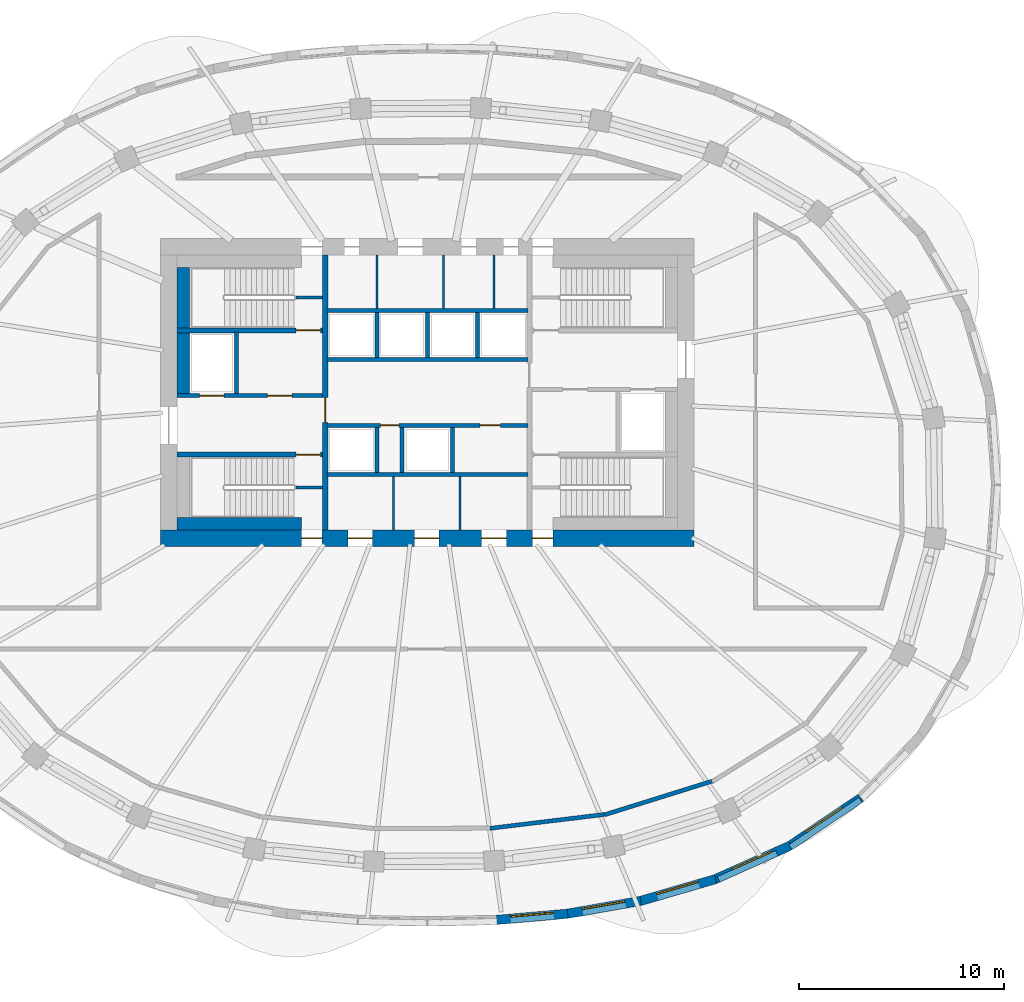
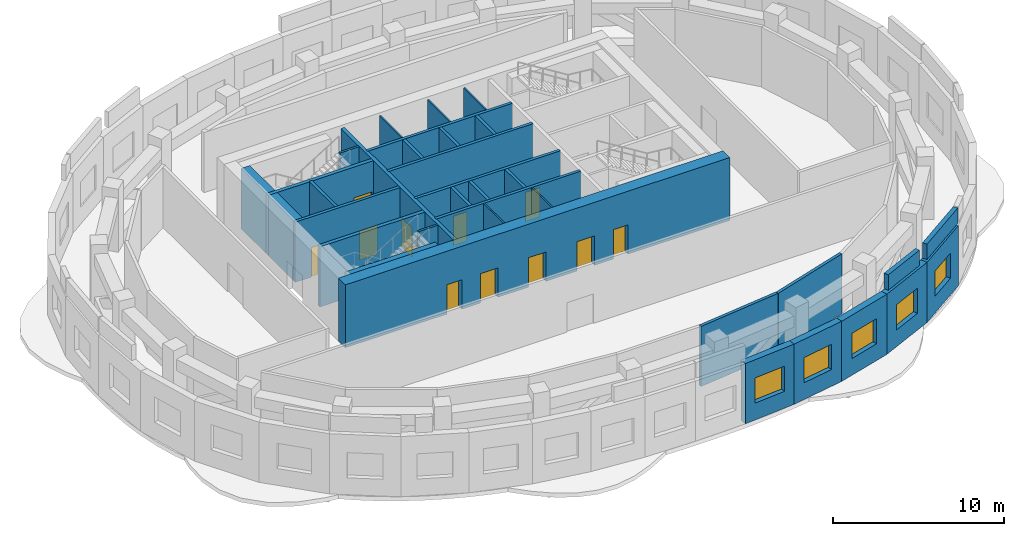
# One storey, part 5 of 9: 35 walls, 12 doors, 5 windows, 17 openings.
"""IFC4 building model written with IfcOpenShell, lengths in metres."""

from ifc_helpers import new_model, si_unit, direction, frame, frame_2d, origin, place, context, subcontext, project, spatial, rectangle, extrude, material, layer, layer_set, type_object, element, fill, save


model = new_model("IFC4")

# Units and contexts
model_context = context("Model", 3, precision=1e-05, world=origin(), true_north=direction((0.0, 1.0)))
body_context = subcontext(model_context, "Body", "Model", "MODEL_VIEW")
ifc_project = project(units=[si_unit("LENGTHUNIT", "METRE"), si_unit("AREAUNIT", "SQUARE_METRE"), si_unit("VOLUMEUNIT", "CUBIC_METRE"), si_unit("PLANEANGLEUNIT", "RADIAN"), si_unit("MASSUNIT", "GRAM", prefix="KILO")], contexts=[model_context])

# Site, building, storey
site_placement = place(None, origin())
site = spatial("IfcSite", under=ifc_project, at=site_placement, CompositionType="ELEMENT")
building_placement = place(site_placement, origin())
building = spatial("IfcBuilding", under=site, at=building_placement, Name="Rubra Terraces Tower", CompositionType="ELEMENT")
storey_placement = place(building_placement, frame((0.0, 0.0, 216.89990234375)))
storey = spatial("IfcBuildingStorey", under=building, at=storey_placement, Name="L53", CompositionType="ELEMENT", Elevation=216.89990234375)

# Wall, opening, window
ifc_material_1 = material(Name="Brick masonry red-brown", Category="masonry")
ifc_layer_1 = layer(ifc_material_1, 0.449951171875)
ifc_layer_set_1 = layer_set([ifc_layer_1], Name="Brick masonry red-brown")
wall_type_1 = type_object("IfcWallType", Name="Brick facade wall 450", PredefinedType="SOLIDWALL", material=ifc_layer_set_1)
wall_1_placement = place(storey_placement, frame((3.37451171875, -21.202880859375, 0.0), z_axis=(0.0, 0.0, 1.0), x_axis=(0.99625818993, 0.086426957587, 0.0)))
wall_1 = element("IfcWall", 1, at=wall_1_placement, inside=storey, type_object=wall_type_1, Name="Facade wall L53 bay 32", PredefinedType="SOLIDWALL", context=body_context, shape_type="SweptSolid", body=[
    extrude(rectangle(XDim=3.48291015625, YDim=0.449951171875, at=frame_2d((1.741455078125, 0.0))), origin(), (0.0, 0.0, 1.0), 4.300048828125),
])
opening_1_placement = place(wall_1_placement, frame((0.69140625, 0.0, 1.199951171875)))
opening_1 = element("IfcOpeningElement", 2, at=opening_1_placement, cuts=wall_1, Name="Opening W4", PredefinedType="OPENING", context=body_context, shape_type="SweptSolid", body=[
    extrude(rectangle(XDim=2.10009765625, YDim=1.800048828125, at=frame_2d((1.050048828125, 0.89990234375))), frame((0.0, 0.23486328125, 0.0), z_axis=(0.0, -1.0, 0.0), x_axis=(1.0, 0.0, 0.0)), (0.0, 0.0, 1.0), 0.469970703125),
])
ifc_material_2 = material(Name="Clear glass in aluminium frame", Category="aluminium")
window_type = type_object("IfcWindowType", Name="Louvred plant window 2100 x 1800", PartitioningType="SINGLE_PANEL", PredefinedType="WINDOW", material=ifc_material_2)
window_1_placement = place(opening_1_placement, origin())
window_1 = element("IfcWindow", 3, at=window_1_placement, inside=storey, type_object=window_type, Name="Window L53 bay 32", OverallHeight=1.800048828125, OverallWidth=2.10009765625, PartitioningType="SINGLE_PANEL", PredefinedType="WINDOW", context=body_context, shape_type="SweptSolid", body=[
    extrude(rectangle(XDim=2.10009765625, YDim=1.800048828125, at=frame_2d((1.050048828125, 0.89990234375))), frame((0.0, 0.135009765625, 0.0), z_axis=(0.0, -1.0, 0.0), x_axis=(1.0, 0.0, 0.0)), (0.0, 0.0, 1.0), 0.06005859375),
])
fill(opening_1, window_1)

wall_2_placement = place(storey_placement, frame((6.8251953125, -20.904296875, 0.0), z_axis=(0.0, 0.0, 1.0), x_axis=(0.984962239205, 0.172769752386, 0.0)))
wall_2 = element("IfcWall", 4, at=wall_2_placement, inside=storey, type_object=wall_type_1, Name="Facade wall L53 bay 33", PredefinedType="SOLIDWALL", context=body_context, shape_type="SweptSolid", body=[
    extrude(rectangle(XDim=3.634521484375, YDim=0.449951171875, at=frame_2d((1.8173828125, 0.0))), origin(), (0.0, 0.0, 1.0), 4.300048828125),
])
opening_2_placement = place(wall_2_placement, frame((0.767333984375, 0.0, 1.199951171875)))
opening_2 = element("IfcOpeningElement", 5, at=opening_2_placement, cuts=wall_2, Name="Opening W4", PredefinedType="OPENING", context=body_context, shape_type="SweptSolid", body=[
    extrude(rectangle(XDim=2.10009765625, YDim=1.800048828125, at=frame_2d((1.050048828125, 0.89990234375))), frame((0.0, 0.23486328125, 0.0), z_axis=(0.0, -1.0, 0.0), x_axis=(1.0, 0.0, 0.0)), (0.0, 0.0, 1.0), 0.469970703125),
])
window_2_placement = place(opening_2_placement, origin())
window_2 = element("IfcWindow", 6, at=window_2_placement, inside=storey, type_object=window_type, Name="Window L53 bay 33", OverallHeight=1.800048828125, OverallWidth=2.10009765625, PartitioningType="SINGLE_PANEL", PredefinedType="WINDOW", context=body_context, shape_type="SweptSolid", body=[
    extrude(rectangle(XDim=2.10009765625, YDim=1.800048828125, at=frame_2d((1.050048828125, 0.89990234375))), frame((0.0, 0.135009765625, 0.0), z_axis=(0.0, -1.0, 0.0), x_axis=(1.0, 0.0, 0.0)), (0.0, 0.0, 1.0), 0.06005859375),
])
fill(opening_2, window_2)

wall_3_placement = place(storey_placement, frame((10.381103515625, -20.281982421875, 0.0), z_axis=(0.0, 0.0, 1.0), x_axis=(0.960131452472, 0.279548911594, 0.0)))
wall_3 = element("IfcWall", 7, at=wall_3_placement, inside=storey, type_object=wall_type_1, Name="Facade wall L53 bay 34", PredefinedType="SOLIDWALL", context=body_context, shape_type="SweptSolid", body=[
    extrude(rectangle(XDim=3.824462890625, YDim=0.449951171875, at=frame_2d((1.912109375, 0.0))), origin(), (0.0, 0.0, 1.0), 4.300048828125),
])
opening_3_placement = place(wall_3_placement, frame((0.8623046875, 0.0, 1.199951171875)))
opening_3 = element("IfcOpeningElement", 8, at=opening_3_placement, cuts=wall_3, Name="Opening W4", PredefinedType="OPENING", context=body_context, shape_type="SweptSolid", body=[
    extrude(rectangle(XDim=2.10009765625, YDim=1.800048828125, at=frame_2d((1.050048828125, 0.89990234375))), frame((0.0, 0.23486328125, 0.0), z_axis=(0.0, -1.0, 0.0), x_axis=(1.0, 0.0, 0.0)), (0.0, 0.0, 1.0), 0.469970703125),
])
window_3_placement = place(opening_3_placement, origin())
window_3 = element("IfcWindow", 9, at=window_3_placement, inside=storey, type_object=window_type, Name="Window L53 bay 34", OverallHeight=1.800048828125, OverallWidth=2.10009765625, PartitioningType="SINGLE_PANEL", PredefinedType="WINDOW", context=body_context, shape_type="SweptSolid", body=[
    extrude(rectangle(XDim=2.10009765625, YDim=1.800048828125, at=frame_2d((1.050048828125, 0.89990234375))), frame((0.0, 0.135009765625, 0.0), z_axis=(0.0, -1.0, 0.0), x_axis=(1.0, 0.0, 0.0)), (0.0, 0.0, 1.0), 0.06005859375),
])
fill(opening_3, window_3)

wall_4_placement = place(storey_placement, frame((14.02392578125, -19.2236328125, 0.0), z_axis=(0.0, 0.0, 1.0), x_axis=(0.912580432801, 0.408897240966, 0.0)))
wall_4 = element("IfcWall", 10, at=wall_4_placement, inside=storey, type_object=wall_type_1, Name="Facade wall L53 bay 35", PredefinedType="SOLIDWALL", context=body_context, shape_type="SweptSolid", body=[
    extrude(rectangle(XDim=4.020751953125, YDim=0.449951171875, at=frame_2d((2.01025390625, 0.0))), origin(), (0.0, 0.0, 1.0), 4.300048828125),
])
opening_4_placement = place(wall_4_placement, frame((0.960205078125, 0.0, 1.199951171875)))
opening_4 = element("IfcOpeningElement", 11, at=opening_4_placement, cuts=wall_4, Name="Opening W4", PredefinedType="OPENING", context=body_context, shape_type="SweptSolid", body=[
    extrude(rectangle(XDim=2.10009765625, YDim=1.800048828125, at=frame_2d((1.050048828125, 0.89990234375))), frame((0.0, 0.23486328125, 0.0), z_axis=(0.0, -1.0, 0.0), x_axis=(1.0, 0.0, 0.0)), (0.0, 0.0, 1.0), 0.469970703125),
])
window_4_placement = place(opening_4_placement, origin())
window_4 = element("IfcWindow", 12, at=window_4_placement, inside=storey, type_object=window_type, Name="Window L53 bay 35", OverallHeight=1.800048828125, OverallWidth=2.10009765625, PartitioningType="SINGLE_PANEL", PredefinedType="WINDOW", context=body_context, shape_type="SweptSolid", body=[
    extrude(rectangle(XDim=2.10009765625, YDim=1.800048828125, at=frame_2d((1.050048828125, 0.89990234375))), frame((0.0, 0.135009765625, 0.0), z_axis=(0.0, -1.0, 0.0), x_axis=(1.0, 0.0, 0.0)), (0.0, 0.0, 1.0), 0.06005859375),
])
fill(opening_4, window_4)

wall_5_placement = place(storey_placement, frame((17.6591796875, -17.598388671875, 0.0), z_axis=(0.0, 0.0, 1.0), x_axis=(0.829077786947, 0.559133278557, 0.0)))
wall_5 = element("IfcWall", 13, at=wall_5_placement, inside=storey, type_object=wall_type_1, Name="Facade wall L53 bay 36", PredefinedType="SOLIDWALL", context=body_context, shape_type="SweptSolid", body=[
    extrude(rectangle(XDim=4.1865234375, YDim=0.449951171875, at=frame_2d((2.09326171875, 0.0))), origin(), (0.0, 0.0, 1.0), 4.300048828125),
])
opening_5_placement = place(wall_5_placement, frame((1.043212890625, 0.0, 1.199951171875)))
opening_5 = element("IfcOpeningElement", 14, at=opening_5_placement, cuts=wall_5, Name="Opening W4", PredefinedType="OPENING", context=body_context, shape_type="SweptSolid", body=[
    extrude(rectangle(XDim=2.10009765625, YDim=1.800048828125, at=frame_2d((1.050048828125, 0.89990234375))), frame((0.0, 0.23486328125, 0.0), z_axis=(0.0, -1.0, 0.0), x_axis=(1.0, 0.0, 0.0)), (0.0, 0.0, 1.0), 0.469970703125),
])
window_5_placement = place(opening_5_placement, origin())
window_5 = element("IfcWindow", 15, at=window_5_placement, inside=storey, type_object=window_type, Name="Window L53 bay 36", OverallHeight=1.800048828125, OverallWidth=2.10009765625, PartitioningType="SINGLE_PANEL", PredefinedType="WINDOW", context=body_context, shape_type="SweptSolid", body=[
    extrude(rectangle(XDim=2.10009765625, YDim=1.800048828125, at=frame_2d((1.050048828125, 0.89990234375))), frame((0.0, 0.135009765625, 0.0), z_axis=(0.0, -1.0, 0.0), x_axis=(1.0, 0.0, 0.0)), (0.0, 0.0, 1.0), 0.06005859375),
])
fill(opening_5, window_5)

# Walls
ifc_layer_2 = layer(ifc_material_1, 0.300048828125)
ifc_layer_set_2 = layer_set([ifc_layer_2], Name="Brick masonry red-brown")
wall_type_2 = type_object("IfcWallType", Name="Brick parapet 300", PredefinedType="PARAPET", material=ifc_layer_set_2)
wall_6_placement = place(storey_placement, frame((14.189697265625, -19.231689453125, 4.5), z_axis=(0.0, 0.0, 1.0), x_axis=(0.912565684873, 0.408930153929, 0.0)))
element("IfcWall", 16, at=wall_6_placement, inside=storey, type_object=wall_type_2, Name="Parapet L53 bay 35", PredefinedType="PARAPET", context=body_context, shape_type="SweptSolid", body=[
    extrude(rectangle(XDim=3.121826171875, YDim=0.300048828125, at=frame_2d((1.56103515625, 0.0))), origin(), (0.0, 0.0, 1.0), 1.10009765625),
])
wall_7_placement = place(storey_placement, frame((17.701171875, -17.66064453125, 4.5), z_axis=(0.0, 0.0, 1.0), x_axis=(0.829051710838, 0.559171942033, 0.0)))
element("IfcWall", 17, at=wall_7_placement, inside=storey, type_object=wall_type_2, Name="Parapet L53 bay 36", PredefinedType="PARAPET", context=body_context, shape_type="SweptSolid", body=[
    extrude(rectangle(XDim=4.125, YDim=0.300048828125, at=frame_2d((2.0625, 0.0))), origin(), (0.0, 0.0, 1.0), 1.10009765625),
])

# Wall, openings, doors
ifc_material_3 = material(Name="Concrete C50", Category="concrete")
ifc_layer_3 = layer(ifc_material_3, 0.800048828125)
ifc_layer_set_3 = layer_set([ifc_layer_3], Name="Concrete C50")
wall_type_3 = type_object("IfcWallType", Name="CORE WALL 800 C50", PredefinedType="SHEAR", material=ifc_layer_set_3)
wall_8_placement = place(storey_placement, frame((-13.0, -2.60009765625, 0.0), z_axis=(0.0, 0.0, 1.0), x_axis=(1.0, 0.0, 0.0)))
wall_8 = element("IfcWall", 18, at=wall_8_placement, inside=storey, type_object=wall_type_3, Name="CORE WALL S L53", PredefinedType="SHEAR", context=body_context, shape_type="SweptSolid", body=[
    extrude(rectangle(XDim=26.0, YDim=0.800048828125, at=frame_2d((13.0, 0.0))), origin(), (0.0, 0.0, 1.0), 4.5),
])
opening_6_placement = place(wall_8_placement, frame((9.125, 0.0, 0.0)))
opening_6 = element("IfcOpeningElement", 19, at=opening_6_placement, cuts=wall_8, Name="Opening L53.C15", PredefinedType="OPENING", context=body_context, shape_type="SweptSolid", body=[
    extrude(rectangle(XDim=1.199951171875, YDim=2.10009765625, at=frame_2d((0.60009765625, 1.050048828125))), frame((0.0, 0.409912109375, 0.0), z_axis=(0.0, -1.0, 0.0), x_axis=(1.0, 0.0, 0.0)), (0.0, 0.0, 1.0), 0.820068359375),
])
opening_7_placement = place(wall_8_placement, frame((12.375, 0.0, 0.0)))
opening_7 = element("IfcOpeningElement", 20, at=opening_7_placement, cuts=wall_8, Name="Opening L53.C16", PredefinedType="OPENING", context=body_context, shape_type="SweptSolid", body=[
    extrude(rectangle(XDim=1.199951171875, YDim=2.10009765625, at=frame_2d((0.60009765625, 1.050048828125))), frame((0.0, 0.409912109375, 0.0), z_axis=(0.0, -1.0, 0.0), x_axis=(1.0, 0.0, 0.0)), (0.0, 0.0, 1.0), 0.820068359375),
])
opening_8_placement = place(wall_8_placement, frame((15.64990234375, 0.0, 0.0)))
opening_8 = element("IfcOpeningElement", 21, at=opening_8_placement, cuts=wall_8, Name="Opening L53.C17", PredefinedType="OPENING", context=body_context, shape_type="SweptSolid", body=[
    extrude(rectangle(XDim=1.199951171875, YDim=2.10009765625, at=frame_2d((0.60009765625, 1.050048828125))), frame((0.0, 0.409912109375, 0.0), z_axis=(0.0, -1.0, 0.0), x_axis=(1.0, 0.0, 0.0)), (0.0, 0.0, 1.0), 0.820068359375),
])
opening_9_placement = place(wall_8_placement, frame((6.8798828125, 0.0, 0.0)))
opening_9 = element("IfcOpeningElement", 22, at=opening_9_placement, cuts=wall_8, Name="Opening L53.C22", PredefinedType="OPENING", context=body_context, shape_type="SweptSolid", body=[
    extrude(rectangle(XDim=1.0, YDim=2.10009765625, at=frame_2d((0.5, 1.050048828125))), frame((0.0, 0.409912109375, 0.0), z_axis=(0.0, -1.0, 0.0), x_axis=(1.0, 0.0, 0.0)), (0.0, 0.0, 1.0), 0.820068359375),
])
opening_10_placement = place(wall_8_placement, frame((18.1201171875, 0.0, 0.0)))
opening_10 = element("IfcOpeningElement", 23, at=opening_10_placement, cuts=wall_8, Name="Opening L53.C25", PredefinedType="OPENING", context=body_context, shape_type="SweptSolid", body=[
    extrude(rectangle(XDim=1.0, YDim=2.10009765625, at=frame_2d((0.5, 1.050048828125))), frame((0.0, 0.409912109375, 0.0), z_axis=(0.0, -1.0, 0.0), x_axis=(1.0, 0.0, 0.0)), (0.0, 0.0, 1.0), 0.820068359375),
])
ifc_material_4 = material(Name="Painted steel", Category="steel")
door_type_1 = type_object("IfcDoorType", Name="Fire door 1000x2100 single", OperationType="NOTDEFINED", PredefinedType="DOOR", material=ifc_material_4)
door_1_placement = place(opening_9_placement, origin())
door_1 = element("IfcDoor", 24, at=door_1_placement, inside=storey, type_object=door_type_1, Name="Stair S1 refuge door", OperationType="SINGLE_SWING_RIGHT", OverallHeight=2.10009765625, OverallWidth=1.0, PredefinedType="DOOR", context=body_context, shape_type="SweptSolid", body=[
    extrude(rectangle(XDim=1.0, YDim=2.10009765625, at=frame_2d((0.5, 1.050048828125))), frame((0.0, 0.02490234375, 0.0), z_axis=(0.0, -1.0, 0.0), x_axis=(1.0, 0.0, 0.0)), (0.0, 0.0, 1.0), 0.050048828125),
])
fill(opening_9, door_1)
door_2_placement = place(opening_10_placement, origin())
door_2 = element("IfcDoor", 25, at=door_2_placement, inside=storey, type_object=door_type_1, Name="Stair S4 refuge door", OperationType="SINGLE_SWING_LEFT", OverallHeight=2.10009765625, OverallWidth=1.0, PredefinedType="DOOR", context=body_context, shape_type="SweptSolid", body=[
    extrude(rectangle(XDim=1.0, YDim=2.10009765625, at=frame_2d((0.5, 1.050048828125))), frame((0.0, 0.02490234375, 0.0), z_axis=(0.0, -1.0, 0.0), x_axis=(1.0, 0.0, 0.0)), (0.0, 0.0, 1.0), 0.050048828125),
])
fill(opening_10, door_2)
door_type_2 = type_object("IfcDoorType", Name="Fire door 1200x2100 single", OperationType="NOTDEFINED", PredefinedType="DOOR", material=ifc_material_4)
door_3_placement = place(opening_6_placement, origin())
door_3 = element("IfcDoor", 26, at=door_3_placement, inside=storey, type_object=door_type_2, Name="Air handling plant room door", OperationType="SINGLE_SWING_LEFT", OverallHeight=2.10009765625, OverallWidth=1.199951171875, PredefinedType="DOOR", context=body_context, shape_type="SweptSolid", body=[
    extrude(rectangle(XDim=1.199951171875, YDim=2.10009765625, at=frame_2d((0.60009765625, 1.050048828125))), frame((0.0, 0.02490234375, 0.0), z_axis=(0.0, -1.0, 0.0), x_axis=(1.0, 0.0, 0.0)), (0.0, 0.0, 1.0), 0.050048828125),
])
fill(opening_6, door_3)
door_4_placement = place(opening_7_placement, origin())
door_4 = element("IfcDoor", 27, at=door_4_placement, inside=storey, type_object=door_type_2, Name="Air handling plant room door", OperationType="SINGLE_SWING_RIGHT", OverallHeight=2.10009765625, OverallWidth=1.199951171875, PredefinedType="DOOR", context=body_context, shape_type="SweptSolid", body=[
    extrude(rectangle(XDim=1.199951171875, YDim=2.10009765625, at=frame_2d((0.60009765625, 1.050048828125))), frame((0.0, 0.02490234375, 0.0), z_axis=(0.0, -1.0, 0.0), x_axis=(1.0, 0.0, 0.0)), (0.0, 0.0, 1.0), 0.050048828125),
])
fill(opening_7, door_4)
door_5_placement = place(opening_8_placement, origin())
door_5 = element("IfcDoor", 28, at=door_5_placement, inside=storey, type_object=door_type_2, Name="Mechanical pump room door", OperationType="SINGLE_SWING_LEFT", OverallHeight=2.10009765625, OverallWidth=1.199951171875, PredefinedType="DOOR", context=body_context, shape_type="SweptSolid", body=[
    extrude(rectangle(XDim=1.199951171875, YDim=2.10009765625, at=frame_2d((0.60009765625, 1.050048828125))), frame((0.0, 0.02490234375, 0.0), z_axis=(0.0, -1.0, 0.0), x_axis=(1.0, 0.0, 0.0)), (0.0, 0.0, 1.0), 0.050048828125),
])
fill(opening_8, door_5)

# Walls
ifc_material_5 = material(Name="Concrete C40", Category="concrete")
ifc_layer_4 = layer(ifc_material_5, 0.60009765625)
ifc_layer_set_4 = layer_set([ifc_layer_4], Name="Concrete C40")
wall_type_4 = type_object("IfcWallType", Name="Core lining wall 600 concrete", PredefinedType="SOLIDWALL", material=ifc_layer_set_4)
wall_9_placement = place(storey_placement, frame((-12.199951171875, -1.89990234375, 0.0), z_axis=(0.0, 0.0, 1.0), x_axis=(1.0, 0.0, 0.0)))
element("IfcWall", 29, at=wall_9_placement, inside=storey, type_object=wall_type_4, Name="CORE LINING WALL L53", PredefinedType="SOLIDWALL", context=body_context, shape_type="SweptSolid", body=[
    extrude(rectangle(XDim=6.079833984375, YDim=0.60009765625, at=frame_2d((3.0400390625, 0.0))), origin(), (0.0, 0.0, 1.0), 4.300048828125),
])
wall_10_placement = place(storey_placement, frame((-11.89990234375, 4.449951171875, 0.0), z_axis=(0.0, 0.0, 1.0), x_axis=(0.0, 1.0, 0.0)))
element("IfcWall", 30, at=wall_10_placement, inside=storey, type_object=wall_type_4, Name="CORE LINING WALL L53", PredefinedType="SOLIDWALL", context=body_context, shape_type="SweptSolid", body=[
    extrude(rectangle(XDim=3.0, YDim=0.60009765625, at=frame_2d((1.5, 0.0))), origin(), (0.0, 0.0, 1.0), 4.300048828125),
])
wall_11_placement = place(storey_placement, frame((-11.89990234375, 7.64990234375, 0.0), z_axis=(0.0, 0.0, 1.0), x_axis=(0.0, 1.0, 0.0)))
element("IfcWall", 31, at=wall_11_placement, inside=storey, type_object=wall_type_4, Name="CORE LINING WALL L53", PredefinedType="SOLIDWALL", context=body_context, shape_type="SweptSolid", body=[
    extrude(rectangle(XDim=2.9501953125, YDim=0.60009765625, at=frame_2d((1.47509765625, 0.0))), origin(), (0.0, 0.0, 1.0), 4.300048828125),
])

# Wall, openings, doors
ifc_material_6 = material(Name="Concrete C30", Category="concrete")
ifc_layer_5 = layer(ifc_material_6, 0.199951171875)
ifc_layer_set_5 = layer_set([ifc_layer_5], Name="Concrete C30")
wall_type_5 = type_object("IfcWallType", Name="Core wall 200 concrete", PredefinedType="SOLIDWALL", material=ifc_layer_set_5)
wall_12_placement = place(storey_placement, frame((-12.199951171875, 4.35009765625, 0.0), z_axis=(0.0, 0.0, 1.0), x_axis=(1.0, 0.0, 0.0)))
wall_12 = element("IfcWall", 32, at=wall_12_placement, inside=storey, type_object=wall_type_5, Name="STAIR WALL L53", PredefinedType="SOLIDWALL", context=body_context, shape_type="SweptSolid", body=[
    extrude(rectangle(XDim=7.099853515625, YDim=0.199951171875, at=frame_2d((3.5498046875, 0.0))), origin(), (0.0, 0.0, 1.0), 4.300048828125),
])
opening_11_placement = place(wall_12_placement, frame((4.39990234375, 0.0, 0.0)))
opening_11 = element("IfcOpeningElement", 33, at=opening_11_placement, cuts=wall_12, Name="Opening L53.C05", PredefinedType="OPENING", context=body_context, shape_type="SweptSolid", body=[
    extrude(rectangle(XDim=1.199951171875, YDim=2.10009765625, at=frame_2d((0.60009765625, 1.050048828125))), frame((0.0, 0.10986328125, 0.0), z_axis=(0.0, -1.0, 0.0), x_axis=(1.0, 0.0, 0.0)), (0.0, 0.0, 1.0), 0.219970703125),
])
opening_12_placement = place(wall_12_placement, frame((1.10009765625, 0.0, 0.0)))
opening_12 = element("IfcOpeningElement", 34, at=opening_12_placement, cuts=wall_12, Name="Opening L53.C11", PredefinedType="OPENING", context=body_context, shape_type="SweptSolid", body=[
    extrude(rectangle(XDim=1.199951171875, YDim=2.10009765625, at=frame_2d((0.60009765625, 1.050048828125))), frame((0.0, 0.10986328125, 0.0), z_axis=(0.0, -1.0, 0.0), x_axis=(1.0, 0.0, 0.0)), (0.0, 0.0, 1.0), 0.219970703125),
])
door_6_placement = place(opening_11_placement, origin())
door_6 = element("IfcDoor", 35, at=door_6_placement, inside=storey, type_object=door_type_2, Name="Stair vestibule door S2", OperationType="SINGLE_SWING_LEFT", OverallHeight=2.10009765625, OverallWidth=1.199951171875, PredefinedType="DOOR", context=body_context, shape_type="SweptSolid", body=[
    extrude(rectangle(XDim=1.199951171875, YDim=2.10009765625, at=frame_2d((0.60009765625, 1.050048828125))), frame((0.0, 0.02490234375, 0.0), z_axis=(0.0, -1.0, 0.0), x_axis=(1.0, 0.0, 0.0)), (0.0, 0.0, 1.0), 0.050048828125),
])
fill(opening_11, door_6)
ifc_material_7 = material(Name="Stainless steel", Category="steel")
door_type_3 = type_object("IfcDoorType", Name="Lift landing door 1200x2100", OperationType="NOTDEFINED", PredefinedType="DOOR", material=ifc_material_7)
door_7_placement = place(opening_12_placement, origin())
door_7 = element("IfcDoor", 36, at=door_7_placement, inside=storey, type_object=door_type_3, Name="Landing door FF1", OperationType="SLIDING_TO_RIGHT", OverallHeight=2.10009765625, OverallWidth=1.199951171875, PredefinedType="DOOR", context=body_context, shape_type="SweptSolid", body=[
    extrude(rectangle(XDim=1.199951171875, YDim=2.10009765625, at=frame_2d((0.60009765625, 1.050048828125))), frame((0.0, 0.02490234375, 0.0), z_axis=(0.0, -1.0, 0.0), x_axis=(1.0, 0.0, 0.0)), (0.0, 0.0, 1.0), 0.050048828125),
])
fill(opening_12, door_7)

# Walls
wall_13_placement = place(storey_placement, frame((-9.300048828125, 4.449951171875, 0.0), z_axis=(0.0, 0.0, 1.0), x_axis=(0.0, 1.0, 0.0)))
element("IfcWall", 37, at=wall_13_placement, inside=storey, type_object=wall_type_5, Name="STAIR WALL L53", PredefinedType="SOLIDWALL", context=body_context, shape_type="SweptSolid", body=[
    extrude(rectangle(XDim=3.0, YDim=0.199951171875, at=frame_2d((1.5, 0.0))), origin(), (0.0, 0.0, 1.0), 4.300048828125),
])
wall_14_placement = place(storey_placement, frame((-4.89990234375, 0.5, 0.0), z_axis=(0.0, 0.0, 1.0), x_axis=(1.0, 0.0, 0.0)))
element("IfcWall", 38, at=wall_14_placement, inside=storey, type_object=wall_type_5, Name="LIFT SHAFT WALL L53", PredefinedType="SOLIDWALL", context=body_context, shape_type="SweptSolid", body=[
    extrude(rectangle(XDim=9.7998046875, YDim=0.199951171875, at=frame_2d((4.89990234375, 0.0))), origin(), (0.0, 0.0, 1.0), 4.300048828125),
])

# Wall, openings, doors
wall_15_placement = place(storey_placement, frame((-4.89990234375, 2.89990234375, 0.0), z_axis=(0.0, 0.0, 1.0), x_axis=(1.0, 0.0, 0.0)))
wall_15 = element("IfcWall", 39, at=wall_15_placement, inside=storey, type_object=wall_type_5, Name="LIFT SHAFT WALL L53", PredefinedType="SOLIDWALL", context=body_context, shape_type="SweptSolid", body=[
    extrude(rectangle(XDim=9.7998046875, YDim=0.199951171875, at=frame_2d((4.89990234375, 0.0))), origin(), (0.0, 0.0, 1.0), 4.300048828125),
])
opening_13_placement = place(wall_15_placement, frame((2.613037109375, 0.0, 0.0)))
opening_13 = element("IfcOpeningElement", 40, at=opening_13_placement, cuts=wall_15, Name="Opening L53.C13", PredefinedType="OPENING", context=body_context, shape_type="SweptSolid", body=[
    extrude(rectangle(XDim=0.89990234375, YDim=2.10009765625, at=frame_2d((0.449951171875, 1.050048828125))), frame((0.0, 0.10986328125, 0.0), z_axis=(0.0, -1.0, 0.0), x_axis=(1.0, 0.0, 0.0)), (0.0, 0.0, 1.0), 0.219970703125),
])
opening_14_placement = place(wall_15_placement, frame((7.462890625, 0.0, 0.0)))
opening_14 = element("IfcOpeningElement", 41, at=opening_14_placement, cuts=wall_15, Name="Opening L53.C14", PredefinedType="OPENING", context=body_context, shape_type="SweptSolid", body=[
    extrude(rectangle(XDim=1.0, YDim=2.10009765625, at=frame_2d((0.5, 1.050048828125))), frame((0.0, 0.10986328125, 0.0), z_axis=(0.0, -1.0, 0.0), x_axis=(1.0, 0.0, 0.0)), (0.0, 0.0, 1.0), 0.219970703125),
])
door_8_placement = place(opening_14_placement, origin())
door_8 = element("IfcDoor", 42, at=door_8_placement, inside=storey, type_object=door_type_1, Name="General store door", OperationType="SINGLE_SWING_RIGHT", OverallHeight=2.10009765625, OverallWidth=1.0, PredefinedType="DOOR", context=body_context, shape_type="SweptSolid", body=[
    extrude(rectangle(XDim=1.0, YDim=2.10009765625, at=frame_2d((0.5, 1.050048828125))), frame((0.0, 0.02490234375, 0.0), z_axis=(0.0, -1.0, 0.0), x_axis=(1.0, 0.0, 0.0)), (0.0, 0.0, 1.0), 0.050048828125),
])
fill(opening_14, door_8)
door_type_4 = type_object("IfcDoorType", Name="Fire door 900x2100 single", OperationType="NOTDEFINED", PredefinedType="DOOR", material=ifc_material_4)
door_9_placement = place(opening_13_placement, origin())
door_9 = element("IfcDoor", 43, at=door_9_placement, inside=storey, type_object=door_type_4, Name="Cleaner's store door", OperationType="SINGLE_SWING_LEFT", OverallHeight=2.10009765625, OverallWidth=0.89990234375, PredefinedType="DOOR", context=body_context, shape_type="SweptSolid", body=[
    extrude(rectangle(XDim=0.89990234375, YDim=2.10009765625, at=frame_2d((0.449951171875, 1.050048828125))), frame((0.0, 0.02490234375, 0.0), z_axis=(0.0, -1.0, 0.0), x_axis=(1.0, 0.0, 0.0)), (0.0, 0.0, 1.0), 0.050048828125),
])
fill(opening_13, door_9)

# Walls
for number, where, z_axis, x_axis, name in (
    (44, (-4.89990234375, 6.10009765625, 0.0), (0.0, 0.0, 1.0), (1.0, 0.0, 0.0), "LIFT SHAFT WALL L53"),
    (45, (-4.89990234375, 8.5, 0.0), (0.0, 0.0, 1.0), (1.0, 0.0, 0.0), "LIFT SHAFT WALL L53"),
):
    element("IfcWall", number, at=place(storey_placement, frame(where, z_axis=z_axis, x_axis=x_axis)), inside=storey, type_object=wall_type_5, Name=name, PredefinedType="SOLIDWALL", context=body_context, shape_type="SweptSolid", body=[
        extrude(rectangle(XDim=9.7998046875, YDim=0.199951171875, at=frame_2d((4.89990234375, 0.0))), origin(), (0.0, 0.0, 1.0), 4.300048828125),
    ])
for number, where, z_axis, x_axis, name in (
    (46, (-2.449951171875, 0.60009765625, 0.0), (0.0, 0.0, 1.0), (0.0, 1.0, 0.0), "LIFT SHAFT WALL L53"),
    (47, (-1.22509765625, 0.60009765625, 0.0), (0.0, 0.0, 1.0), (0.0, 1.0, 0.0), "LIFT SHAFT WALL L53"),
    (48, (1.22509765625, 0.60009765625, 0.0), (0.0, 0.0, 1.0), (0.0, 1.0, 0.0), "LIFT SHAFT WALL L53"),
    (49, (-2.449951171875, 6.199951171875, 0.0), (0.0, 0.0, 1.0), (0.0, 1.0, 0.0), "LIFT SHAFT WALL L53"),
    (50, (0.0, 6.199951171875, 0.0), (0.0, 0.0, 1.0), (0.0, 1.0, 0.0), "LIFT SHAFT WALL L53"),
    (51, (2.449951171875, 6.199951171875, 0.0), (0.0, 0.0, 1.0), (0.0, 1.0, 0.0), "LIFT SHAFT WALL L53"),
):
    element("IfcWall", number, at=place(storey_placement, frame(where, z_axis=z_axis, x_axis=x_axis)), inside=storey, type_object=wall_type_5, Name=name, PredefinedType="SOLIDWALL", context=body_context, shape_type="SweptSolid", body=[
        extrude(rectangle(XDim=2.199951171875, YDim=0.199951171875, at=frame_2d((1.10009765625, 0.0))), origin(), (0.0, 0.0, 1.0), 4.300048828125),
    ])
ifc_material_8 = material(Name="Blockwork", Category="masonry")
ifc_layer_6 = layer(ifc_material_8, 0.199951171875)
ifc_layer_set_6 = layer_set([ifc_layer_6], Name="Blockwork")
wall_type_6 = type_object("IfcWallType", Name="Corridor partition 200 blockwork", PredefinedType="PARTITIONING", material=ifc_layer_set_6)
wall_16_placement = place(storey_placement, frame((13.875, -14.445068359375, 0.0), z_axis=(0.0, 0.0, 1.0), x_axis=(-0.954489463941, -0.298244636541, 0.0)))
element("IfcWall", 52, at=wall_16_placement, inside=storey, type_object=wall_type_6, Name="Partition wall", PredefinedType="PARTITIONING", context=body_context, shape_type="SweptSolid", body=[
    extrude(rectangle(XDim=5.4951171875, YDim=0.199951171875, at=frame_2d((2.74755859375, 0.0))), origin(), (0.0, 0.0, 1.0), 4.300048828125),
])
wall_17_placement = place(storey_placement, frame((8.6259765625, -16.06591796875, 0.0), z_axis=(0.0, 0.0, 1.0), x_axis=(-0.992720392358, -0.120441780942, 0.0)))
element("IfcWall", 53, at=wall_17_placement, inside=storey, type_object=wall_type_6, Name="Partition wall", PredefinedType="PARTITIONING", context=body_context, shape_type="SweptSolid", body=[
    extrude(rectangle(XDim=5.61279296875, YDim=0.199951171875, at=frame_2d((2.806396484375, 0.0))), origin(), (0.0, 0.0, 1.0), 4.300048828125),
])
ifc_layer_7 = layer(ifc_material_8, 0.10009765625)
ifc_layer_set_7 = layer_set([ifc_layer_7], Name="Blockwork")
wall_type_7 = type_object("IfcWallType", Name="Service partition 100 blockwork", PredefinedType="PARTITIONING", material=ifc_layer_set_7)
for number, where, z_axis, x_axis, name in (
    (54, (-1.64990234375, -2.199951171875, 0.0), (0.0, 0.0, 1.0), (0.0, 1.0, 0.0), "SERVICE ROOM PARTITION L53"),
    (55, (1.60009765625, -2.199951171875, 0.0), (0.0, 0.0, 1.0), (0.0, 1.0, 0.0), "SERVICE ROOM PARTITION L53"),
    (56, (-2.449951171875, 8.60009765625, 0.0), (0.0, 0.0, 1.0), (0.0, 1.0, 0.0), "SERVICE ROOM PARTITION L53"),
    (57, (0.800048828125, 8.60009765625, 0.0), (0.0, 0.0, 1.0), (0.0, 1.0, 0.0), "SERVICE ROOM PARTITION L53"),
    (58, (3.25, 8.60009765625, 0.0), (0.0, 0.0, 1.0), (0.0, 1.0, 0.0), "SERVICE ROOM PARTITION L53"),
):
    element("IfcWall", number, at=place(storey_placement, frame(where, z_axis=z_axis, x_axis=x_axis)), inside=storey, type_object=wall_type_7, Name=name, PredefinedType="PARTITIONING", context=body_context, shape_type="SweptSolid", body=[
        extrude(rectangle(XDim=2.599853515625, YDim=0.10009765625, at=frame_2d((1.2998046875, 0.0))), origin(), (0.0, 0.0, 1.0), 4.300048828125),
    ])

# Wall, opening, door
ifc_layer_8 = layer(ifc_material_5, 0.25)
ifc_layer_set_8 = layer_set([ifc_layer_8], Name="Concrete C40")
wall_type_8 = type_object("IfcWallType", Name="Stair enclosure wall 250 concrete", PredefinedType="SOLIDWALL", material=ifc_layer_set_8)
wall_18_placement = place(storey_placement, frame((-12.199951171875, 1.47509765625, 0.0), z_axis=(0.0, 0.0, 1.0), x_axis=(1.0, 0.0, 0.0)))
wall_18 = element("IfcWall", 59, at=wall_18_placement, inside=storey, type_object=wall_type_8, Name="STAIR WALL L53", PredefinedType="SOLIDWALL", context=body_context, shape_type="SweptSolid", body=[
    extrude(rectangle(XDim=7.099853515625, YDim=0.25, at=frame_2d((3.5498046875, 0.0))), origin(), (0.0, 0.0, 1.0), 4.300048828125),
])
opening_15_placement = place(wall_18_placement, frame((5.800048828125, 0.0, 0.0)))
opening_15 = element("IfcOpeningElement", 60, at=opening_15_placement, cuts=wall_18, Name="Opening L53.C07", PredefinedType="OPENING", context=body_context, shape_type="SweptSolid", body=[
    extrude(rectangle(XDim=1.199951171875, YDim=2.10009765625, at=frame_2d((0.60009765625, 1.050048828125))), frame((0.0, 0.135009765625, 0.0), z_axis=(0.0, -1.0, 0.0), x_axis=(1.0, 0.0, 0.0)), (0.0, 0.0, 1.0), 0.27001953125),
])
door_10_placement = place(opening_15_placement, origin())
door_10 = element("IfcDoor", 61, at=door_10_placement, inside=storey, type_object=door_type_2, Name="Stair door S1", OperationType="SINGLE_SWING_LEFT", OverallHeight=2.10009765625, OverallWidth=1.199951171875, PredefinedType="DOOR", context=body_context, shape_type="SweptSolid", body=[
    extrude(rectangle(XDim=1.199951171875, YDim=2.10009765625, at=frame_2d((0.60009765625, 1.050048828125))), frame((0.0, 0.02490234375, 0.0), z_axis=(0.0, -1.0, 0.0), x_axis=(1.0, 0.0, 0.0)), (0.0, 0.0, 1.0), 0.050048828125),
])
fill(opening_15, door_10)

wall_19_placement = place(storey_placement, frame((-12.199951171875, 7.52490234375, 0.0), z_axis=(0.0, 0.0, 1.0), x_axis=(1.0, 0.0, 0.0)))
wall_19 = element("IfcWall", 62, at=wall_19_placement, inside=storey, type_object=wall_type_8, Name="STAIR WALL L53", PredefinedType="SOLIDWALL", context=body_context, shape_type="SweptSolid", body=[
    extrude(rectangle(XDim=7.099853515625, YDim=0.25, at=frame_2d((3.5498046875, 0.0))), origin(), (0.0, 0.0, 1.0), 4.300048828125),
])
opening_16_placement = place(wall_19_placement, frame((5.800048828125, 0.0, 0.0)))
opening_16 = element("IfcOpeningElement", 63, at=opening_16_placement, cuts=wall_19, Name="Opening L53.C09", PredefinedType="OPENING", context=body_context, shape_type="SweptSolid", body=[
    extrude(rectangle(XDim=1.199951171875, YDim=2.10009765625, at=frame_2d((0.60009765625, 1.050048828125))), frame((0.0, 0.135009765625, 0.0), z_axis=(0.0, -1.0, 0.0), x_axis=(1.0, 0.0, 0.0)), (0.0, 0.0, 1.0), 0.27001953125),
])
door_11_placement = place(opening_16_placement, origin())
door_11 = element("IfcDoor", 64, at=door_11_placement, inside=storey, type_object=door_type_2, Name="Stair door S2", OperationType="SINGLE_SWING_LEFT", OverallHeight=2.10009765625, OverallWidth=1.199951171875, PredefinedType="DOOR", context=body_context, shape_type="SweptSolid", body=[
    extrude(rectangle(XDim=1.199951171875, YDim=2.10009765625, at=frame_2d((0.60009765625, 1.050048828125))), frame((0.0, 0.02490234375, 0.0), z_axis=(0.0, -1.0, 0.0), x_axis=(1.0, 0.0, 0.0)), (0.0, 0.0, 1.0), 0.050048828125),
])
fill(opening_16, door_11)

wall_20_placement = place(storey_placement, frame((-4.97509765625, -2.199951171875, 0.0), z_axis=(0.0, 0.0, 1.0), x_axis=(0.0, 1.0, 0.0)))
wall_20 = element("IfcWall", 65, at=wall_20_placement, inside=storey, type_object=wall_type_8, Name="CORE LOBBY WALL L53", PredefinedType="SOLIDWALL", context=body_context, shape_type="SweptSolid", body=[
    extrude(rectangle(XDim=13.39990234375, YDim=0.25, at=frame_2d((6.699951171875, 0.0))), origin(), (0.0, 0.0, 1.0), 4.300048828125),
])
opening_17_placement = place(wall_20_placement, frame((5.25, 0.0, 0.0)))
opening_17 = element("IfcOpeningElement", 66, at=opening_17_placement, cuts=wall_20, Name="Opening L53.C03", PredefinedType="OPENING", context=body_context, shape_type="SweptSolid", body=[
    extrude(rectangle(XDim=1.199951171875, YDim=2.10009765625, at=frame_2d((0.60009765625, 1.050048828125))), frame((0.0, 0.135009765625, 0.0), z_axis=(0.0, -1.0, 0.0), x_axis=(1.0, 0.0, 0.0)), (0.0, 0.0, 1.0), 0.27001953125),
])
door_12_placement = place(opening_17_placement, origin())
door_12 = element("IfcDoor", 67, at=door_12_placement, inside=storey, type_object=door_type_2, Name="Firefighting lobby door FF1", OperationType="SINGLE_SWING_LEFT", OverallHeight=2.10009765625, OverallWidth=1.199951171875, PredefinedType="DOOR", context=body_context, shape_type="SweptSolid", body=[
    extrude(rectangle(XDim=1.199951171875, YDim=2.10009765625, at=frame_2d((0.60009765625, 1.050048828125))), frame((0.0, 0.02490234375, 0.0), z_axis=(0.0, -1.0, 0.0), x_axis=(1.0, 0.0, 0.0)), (0.0, 0.0, 1.0), 0.050048828125),
])
fill(opening_17, door_12)

# Walls
ifc_layer_9 = layer(ifc_material_5, 0.14990234375)
ifc_layer_set_9 = layer_set([ifc_layer_9], Name="Concrete C40")
wall_type_9 = type_object("IfcWallType", Name="Stair separation wall 150 concrete", PredefinedType="SOLIDWALL", material=ifc_layer_set_9)
for number, where, z_axis, x_axis, name in (
    (68, (-6.39990234375, -0.125, 0.0), (0.0, 0.0, 1.0), (1.0, 0.0, 0.0), "STAIR SEPARATION WALL L53"),
    (69, (-6.39990234375, 9.125, 0.0), (0.0, 0.0, 1.0), (1.0, 0.0, 0.0), "STAIR SEPARATION WALL L53"),
):
    element("IfcWall", number, at=place(storey_placement, frame(where, z_axis=z_axis, x_axis=x_axis)), inside=storey, type_object=wall_type_9, Name=name, PredefinedType="SOLIDWALL", context=body_context, shape_type="SweptSolid", body=[
        extrude(rectangle(XDim=1.2998046875, YDim=0.14990234375, at=frame_2d((0.64990234375, 0.0))), origin(), (0.0, 0.0, 1.0), 4.300048828125),
    ])

save(model, "model.ifc")
